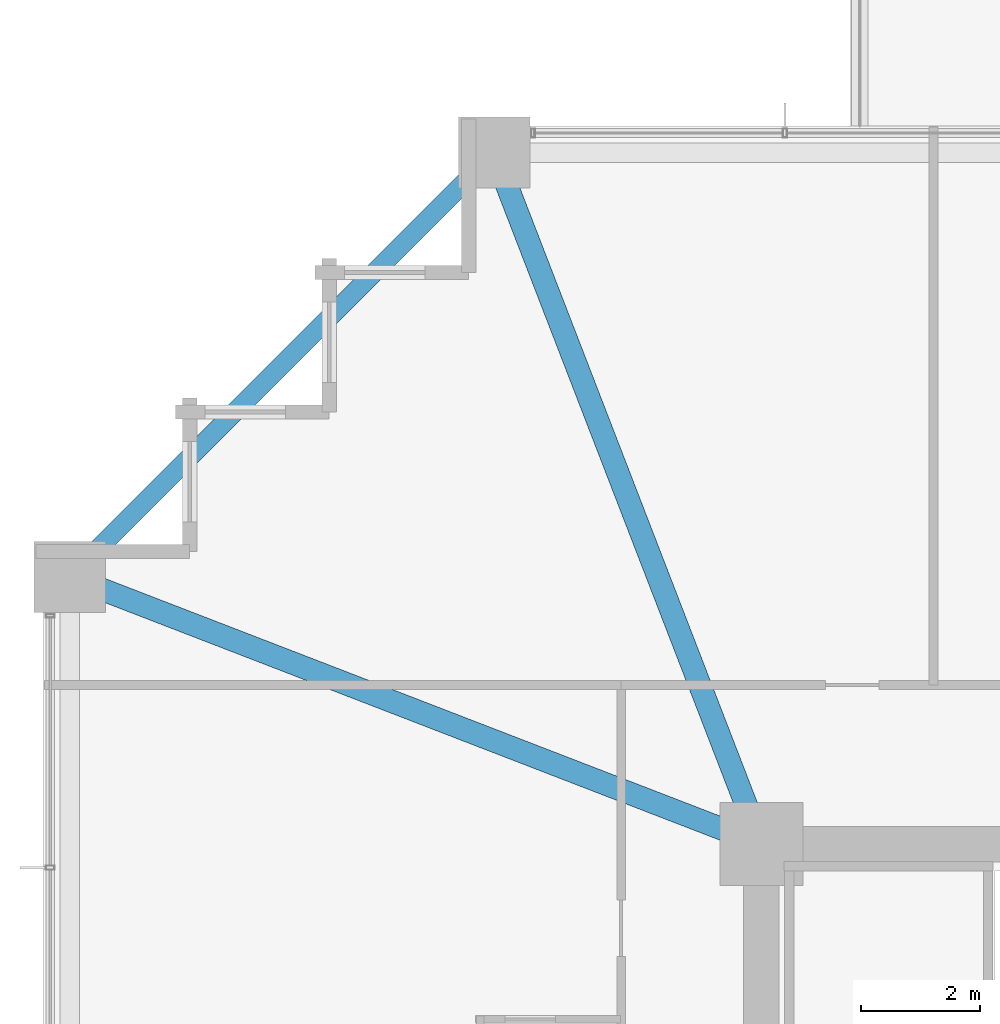
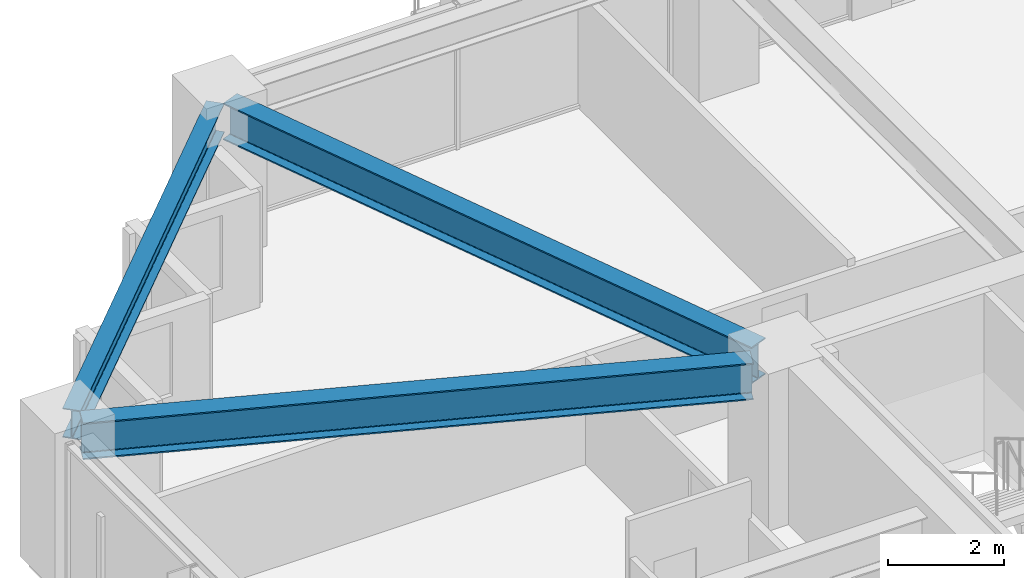
# One storey, part 18 of 38: 3 beams.
"""IFC4 building model written with IfcOpenShell, lengths in metres."""

from ifc_helpers import new_model, si_unit, direction, frame, origin, origin_2d, place, context, subcontext, project, spatial, i_section, extrude, material, material_profile, profile_set, type_object, element, save


model = new_model("IFC4")

# Units and contexts
model_context = context("Model", 3, precision=1e-05, world=origin(), true_north=direction((0.0, 1.0)))
body_context = subcontext(model_context, "Body", "Model", "MODEL_VIEW")
ifc_project = project(units=[si_unit("LENGTHUNIT", "METRE"), si_unit("AREAUNIT", "SQUARE_METRE"), si_unit("VOLUMEUNIT", "CUBIC_METRE"), si_unit("PLANEANGLEUNIT", "RADIAN"), si_unit("MASSUNIT", "GRAM", prefix="KILO")], contexts=[model_context])

# Site, building, storey
site_placement = place(None, origin())
site = spatial("IfcSite", under=ifc_project, at=site_placement, CompositionType="ELEMENT")
building_placement = place(site_placement, origin())
building = spatial("IfcBuilding", under=site, at=building_placement, Name="Kolvaren Belvedere", CompositionType="ELEMENT")
storey_placement = place(building_placement, frame((0.0, 0.0, 27.10009765625)))
storey = spatial("IfcBuildingStorey", under=building, at=storey_placement, Name="L07", CompositionType="ELEMENT", Elevation=27.10009765625)

# Beams
ifc_material_1 = material(Name="Structural steel ASTM A992 Grade 50", Category="steel")
ifc_material_profile_1 = material_profile(ifc_material_1, i_section(OverallWidth=0.381103515625, OverallDepth=0.77294921875, WebThickness=0.0166015625, FlangeThickness=0.027099609375, FilletRadius=0.02392578125, at=origin_2d()), Name="W30X173")
ifc_profile_set_1 = profile_set([ifc_material_profile_1], Name="Structural steel ASTM A992 Grade 50")
beam_type_1 = type_object("IfcBeamType", Name="BM-GIRD-W30X173", PredefinedType="BEAM", material=ifc_profile_set_1)
for number, where, z_axis, x_axis, name in (
    (1, (-10.09814453125, 10.4130859375, 2.67333984375), (-0.360318391835, 0.932829382313, 0.0), (-0.932829382313, -0.360318391835, 0.0), "L07 Corner Core-to-Perimeter Girder CC4-N1"),
    (2, (-10.4130859375, 10.09814453125, 2.67333984375), (-0.932829382313, 0.360318391835, 0.0), (-0.360318391835, -0.932829382313, 0.0), "L07 Corner Core-to-Perimeter Girder CC4-W4"),
):
    element("IfcBeam", number, at=place(storey_placement, frame(where, z_axis=z_axis, x_axis=x_axis)), inside=storey, type_object=beam_type_1, Name=name, PredefinedType="BEAM", context=body_context, shape_type="SweptSolid", body=[
        extrude(i_section(OverallWidth=0.381103515625, OverallDepth=0.77294921875, WebThickness=0.0166015625, FlangeThickness=0.027099609375, FilletRadius=0.02392578125, at=origin_2d()), origin(), (0.0, 0.0, 1.0), 11.698974609375),
    ])
ifc_material_2 = material(Name="Structural steel ASTM A992 Grade 50", Category="steel")
ifc_material_profile_2 = material_profile(ifc_material_2, i_section(OverallWidth=0.324951171875, OverallDepth=0.615966796875, WebThickness=0.013916015625, FlangeThickness=0.021484375, FilletRadius=0.02001953125, at=origin_2d()), Name="W24X117")
ifc_profile_set_2 = profile_set([ifc_material_profile_2], Name="Structural steel ASTM A992 Grade 50")
beam_type_2 = type_object("IfcBeamType", Name="BM-SPAN-W24X117", PredefinedType="SPANDREL", material=ifc_profile_set_2)
beam_placement = place(storey_placement, frame((-14.5908203125, 21.359130859375, 2.751953125), z_axis=(-0.707106781187, -0.707106781187, 0.0), x_axis=(0.707106781187, -0.707106781187, 0.0)))
element("IfcBeam", 3, at=beam_placement, inside=storey, type_object=beam_type_2, Name="L07 Perimeter Spandrel N1-W4", PredefinedType="SPANDREL", context=body_context, shape_type="SweptSolid", body=[
    extrude(i_section(OverallWidth=0.324951171875, OverallDepth=0.615966796875, WebThickness=0.013916015625, FlangeThickness=0.021484375, FilletRadius=0.02001953125, at=origin_2d()), origin(), (0.0, 0.0, 1.0), 9.57177734375),
])

save(model, "model.ifc")
